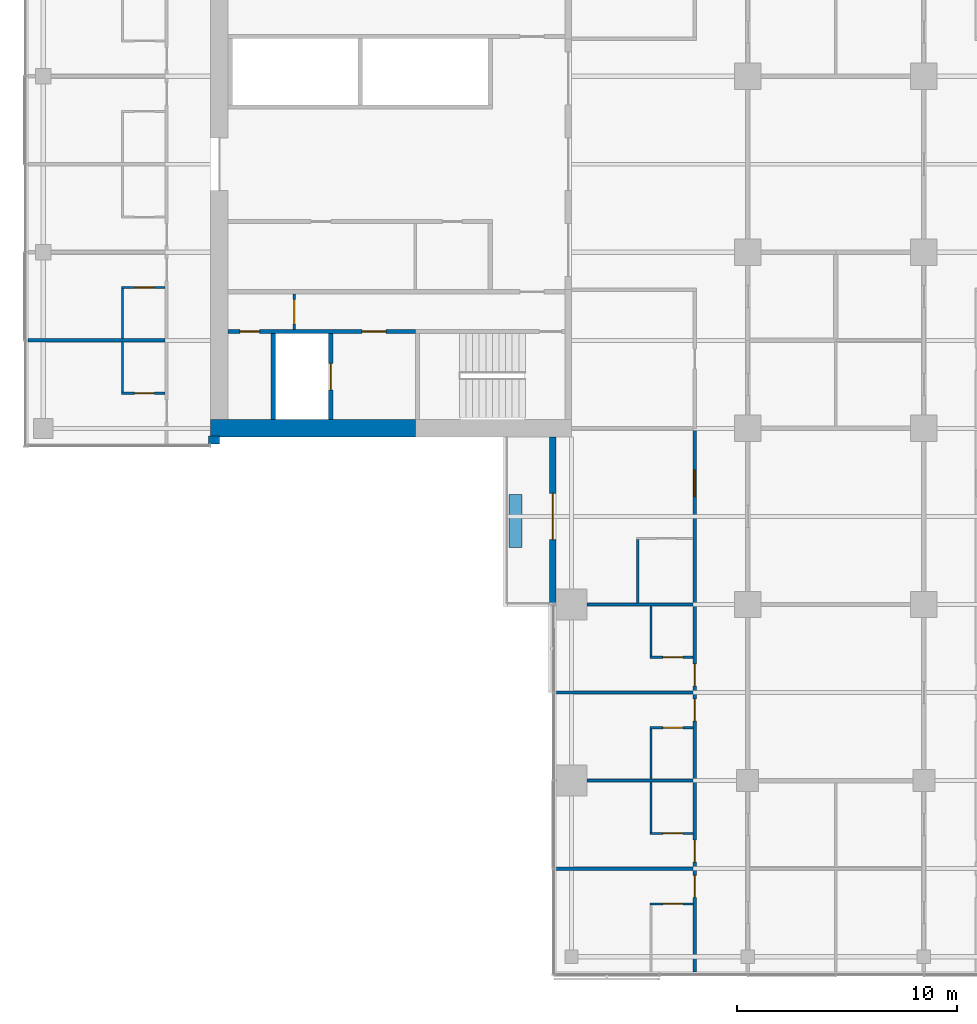
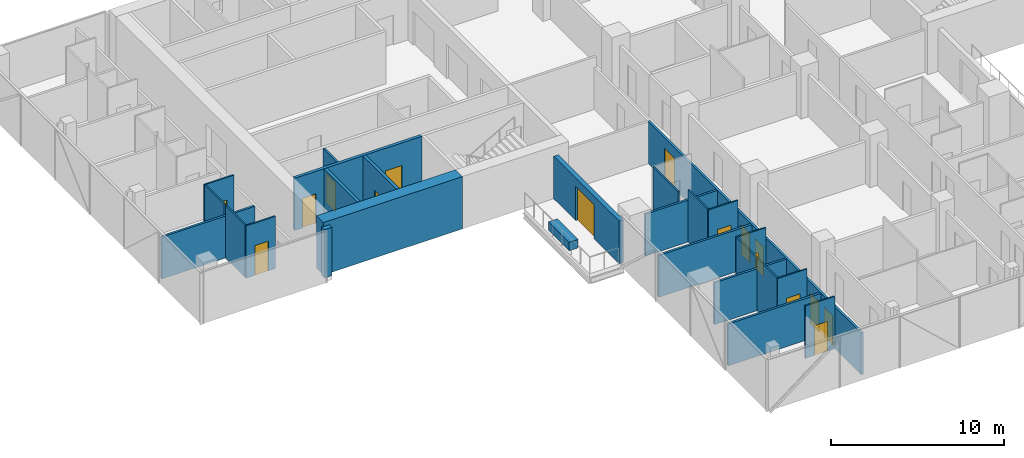
# One storey, part 15 of 29: 26 walls, 16 doors, 16 openings.
"""IFC4 building model written with IfcOpenShell, lengths in metres."""

from ifc_helpers import new_model, si_unit, direction, frame, frame_2d, origin, place, context, subcontext, project, spatial, rectangle, extrude, material, layer, layer_set, constituent, constituent_set, type_object, element, fill, save


model = new_model("IFC4")

# Units and contexts
model_context = context("Model", 3, precision=1e-05, world=origin(), true_north=direction((0.0, 1.0)))
body_context = subcontext(model_context, "Body", "Model", "MODEL_VIEW")
ifc_project = project(units=[si_unit("LENGTHUNIT", "METRE"), si_unit("AREAUNIT", "SQUARE_METRE"), si_unit("VOLUMEUNIT", "CUBIC_METRE"), si_unit("PLANEANGLEUNIT", "RADIAN"), si_unit("MASSUNIT", "GRAM", prefix="KILO")], contexts=[model_context])

# Site, building, storey
site_placement = place(None, origin())
site = spatial("IfcSite", under=ifc_project, at=site_placement, CompositionType="ELEMENT")
building_placement = place(site_placement, origin())
building = spatial("IfcBuilding", under=site, at=building_placement, Name="Crosswind Convention Tower", CompositionType="ELEMENT")
storey_placement = place(building_placement, frame((0.0, 0.0, 57.199951171875)))
storey = spatial("IfcBuildingStorey", under=building, at=storey_placement, Name="L08", CompositionType="ELEMENT", Elevation=57.199951171875)

# Wall, opening, door
ifc_material_1 = material(Name="Concrete C50/60", Category="concrete")
ifc_layer_1 = layer(ifc_material_1, 0.199951171875)
ifc_layer_set_1 = layer_set([ifc_layer_1], Name="Concrete C50/60")
wall_type_1 = type_object("IfcWallType", Name="Concrete shaft and stair wall 200", PredefinedType="SHEAR", material=ifc_layer_set_1)
wall_1_placement = place(storey_placement, frame((102.050048828125, 92.300048828125, 0.0), z_axis=(0.0, 0.0, 1.0), x_axis=(0.0, -1.0, 0.0)))
wall_1 = element("IfcWall", 1, at=wall_1_placement, inside=storey, type_object=wall_type_1, Name="Wall PFLW W L08", PredefinedType="SHEAR", context=body_context, shape_type="SweptSolid", body=[
    extrude(rectangle(XDim=3.900146484375, YDim=0.199951171875, at=frame_2d((1.9501953125, 0.0))), origin(), (0.0, 0.0, 1.0), 3.699951171875),
])
opening_1_placement = place(wall_1_placement, frame((1.35009765625, 0.0, 0.0)))
opening_1 = element("IfcOpeningElement", 2, at=opening_1_placement, cuts=wall_1, Name="Opening LD1", PredefinedType="OPENING", context=body_context, shape_type="SweptSolid", body=[
    extrude(rectangle(XDim=1.199951171875, YDim=2.10009765625, at=frame_2d((0.60009765625, 1.050048828125))), frame((0.0, 0.10986328125, 0.0), z_axis=(0.0, -1.0, 0.0), x_axis=(1.0, 0.0, 0.0)), (0.0, 0.0, 1.0), 0.219970703125),
])
ifc_material_2 = material(Name="Stainless steel", Category="steel")
door_type_1 = type_object("IfcDoorType", Name="Lift landing door 1200x2100", OperationType="DOUBLE_DOOR_SLIDING", PredefinedType="DOOR", material=ifc_material_2)
door_1_placement = place(opening_1_placement, origin())
door_1 = element("IfcDoor", 3, at=door_1_placement, inside=storey, type_object=door_type_1, Name="Landing door FF2 L08", ObjectType="LD1", OperationType="DOUBLE_DOOR_SLIDING", OverallHeight=2.10009765625, OverallWidth=1.199951171875, PredefinedType="DOOR", context=body_context, shape_type="SweptSolid", body=[
    extrude(rectangle(XDim=1.199951171875, YDim=2.10009765625, at=frame_2d((0.60009765625, 1.050048828125))), frame((0.0, 0.02490234375, 0.0), z_axis=(0.0, -1.0, 0.0), x_axis=(1.0, 0.0, 0.0)), (0.0, 0.0, 1.0), 0.050048828125),
])
fill(opening_1, door_1)

# Wall
wall_2_placement = place(storey_placement, frame((99.449951171875, 92.300048828125, 0.0), z_axis=(0.0, 0.0, 1.0), x_axis=(0.0, -1.0, 0.0)))
element("IfcWall", 4, at=wall_2_placement, inside=storey, type_object=wall_type_1, Name="Wall PFSE W L08", PredefinedType="SHEAR", context=body_context, shape_type="SweptSolid", body=[
    extrude(rectangle(XDim=3.900146484375, YDim=0.199951171875, at=frame_2d((1.9501953125, 0.0))), origin(), (0.0, 0.0, 1.0), 3.699951171875),
])

# Wall, openings, doors
wall_3_placement = place(storey_placement, frame((105.89990234375, 92.39990234375, 0.0), z_axis=(0.0, 0.0, 1.0), x_axis=(-1.0, 0.0, 0.0)))
wall_3 = element("IfcWall", 5, at=wall_3_placement, inside=storey, type_object=wall_type_1, Name="Wall PCX W L08", PredefinedType="SHEAR", context=body_context, shape_type="SweptSolid", body=[
    extrude(rectangle(XDim=8.5, YDim=0.199951171875, at=frame_2d((4.25, 0.0))), origin(), (0.0, 0.0, 1.0), 3.699951171875),
])
opening_2_placement = place(wall_3_placement, frame((1.324951171875, 0.0, 0.0)))
opening_2 = element("IfcOpeningElement", 6, at=opening_2_placement, cuts=wall_3, Name="Opening D104", PredefinedType="OPENING", context=body_context, shape_type="SweptSolid", body=[
    extrude(rectangle(XDim=1.10009765625, YDim=2.10009765625, at=frame_2d((0.550048828125, 1.050048828125))), frame((0.0, 0.10986328125, 0.0), z_axis=(0.0, -1.0, 0.0), x_axis=(1.0, 0.0, 0.0)), (0.0, 0.0, 1.0), 0.219970703125),
])
opening_3_placement = place(wall_3_placement, frame((7.074951171875, 0.0, 0.0)))
opening_3 = element("IfcOpeningElement", 7, at=opening_3_placement, cuts=wall_3, Name="Opening D106", PredefinedType="OPENING", context=body_context, shape_type="SweptSolid", body=[
    extrude(rectangle(XDim=0.89990234375, YDim=2.10009765625, at=frame_2d((0.449951171875, 1.050048828125))), frame((0.0, 0.10986328125, 0.0), z_axis=(0.0, -1.0, 0.0), x_axis=(1.0, 0.0, 0.0)), (0.0, 0.0, 1.0), 0.219970703125),
])
ifc_material_3 = material(Name="Steel fire door", Category="steel")
door_type_2 = type_object("IfcDoorType", Name="Fire-rated single door 1100x2100", OperationType="NOTDEFINED", PredefinedType="DOOR", material=ifc_material_3)
door_2_placement = place(opening_2_placement, origin())
door_2 = element("IfcDoor", 8, at=door_2_placement, inside=storey, type_object=door_type_2, Name="Fire-fighting lobby FF2 door L08", ObjectType="D104", OperationType="SINGLE_SWING_RIGHT", OverallHeight=2.10009765625, OverallWidth=1.10009765625, PredefinedType="DOOR", context=body_context, shape_type="SweptSolid", body=[
    extrude(rectangle(XDim=1.10009765625, YDim=2.10009765625, at=frame_2d((0.550048828125, 1.050048828125))), frame((0.0, 0.02490234375, 0.0), z_axis=(0.0, -1.0, 0.0), x_axis=(1.0, 0.0, 0.0)), (0.0, 0.0, 1.0), 0.050048828125),
])
fill(opening_2, door_2)
ifc_material_4 = material(Name="Timber door", Category="wood")
door_type_3 = type_object("IfcDoorType", Name="Single leaf door 900x2100", OperationType="NOTDEFINED", PredefinedType="DOOR", material=ifc_material_4)
door_3_placement = place(opening_3_placement, origin())
door_3 = element("IfcDoor", 9, at=door_3_placement, inside=storey, type_object=door_type_3, Name="Door to telecoms room L08", ObjectType="D106", OperationType="SINGLE_SWING_RIGHT", OverallHeight=2.10009765625, OverallWidth=0.89990234375, PredefinedType="DOOR", context=body_context, shape_type="SweptSolid", body=[
    extrude(rectangle(XDim=0.89990234375, YDim=2.10009765625, at=frame_2d((0.449951171875, 1.050048828125))), frame((0.0, 0.02490234375, 0.0), z_axis=(0.0, -1.0, 0.0), x_axis=(1.0, 0.0, 0.0)), (0.0, 0.0, 1.0), 0.050048828125),
])
fill(opening_3, door_3)

# Wall, opening, door
ifc_material_5 = material(Name="Gypsum plasterboard partition", Category="gypsum")
ifc_layer_2 = layer(ifc_material_5, 0.125)
ifc_layer_set_2 = layer_set([ifc_layer_2], Name="Drywall partition wall 125")
wall_type_2 = type_object("IfcWallType", Name="Drywall partition wall 125", PredefinedType="PARTITIONING", material=ifc_layer_set_2)
wall_4_placement = place(storey_placement, frame((100.39990234375, 94.10009765625, 0.0), z_axis=(0.0, 0.0, 1.0), x_axis=(0.0, -1.0, 0.0)))
wall_4 = element("IfcWall", 10, at=wall_4_placement, inside=storey, type_object=wall_type_2, Name="Wall PXC1 W L08", PredefinedType="PARTITIONING", context=body_context, shape_type="SweptSolid", body=[
    extrude(rectangle(XDim=1.60009765625, YDim=0.125, at=frame_2d((0.800048828125, 0.0))), origin(), (0.0, 0.0, 1.0), 3.699951171875),
])
opening_4_placement = place(wall_4_placement, frame((0.25, 0.0, 0.0)))
opening_4 = element("IfcOpeningElement", 11, at=opening_4_placement, cuts=wall_4, Name="Opening D104", PredefinedType="OPENING", context=body_context, shape_type="SweptSolid", body=[
    extrude(rectangle(XDim=1.10009765625, YDim=2.10009765625, at=frame_2d((0.550048828125, 1.050048828125))), frame((0.0, 0.072509765625, 0.0), z_axis=(0.0, -1.0, 0.0), x_axis=(1.0, 0.0, 0.0)), (0.0, 0.0, 1.0), 0.14501953125),
])
door_4_placement = place(opening_4_placement, origin())
door_4 = element("IfcDoor", 12, at=door_4_placement, inside=storey, type_object=door_type_2, Name="Corridor smoke door L08", ObjectType="D104", OperationType="SINGLE_SWING_RIGHT", OverallHeight=2.10009765625, OverallWidth=1.10009765625, PredefinedType="DOOR", context=body_context, shape_type="SweptSolid", body=[
    extrude(rectangle(XDim=1.10009765625, YDim=2.10009765625, at=frame_2d((0.550048828125, 1.050048828125))), frame((0.0, 0.02490234375, 0.0), z_axis=(0.0, -1.0, 0.0), x_axis=(1.0, 0.0, 0.0)), (0.0, 0.0, 1.0), 0.050048828125),
])
fill(opening_4, door_4)

# Walls
ifc_material_6 = material(Name="Acoustic plasterboard partition", Category="gypsum")
ifc_layer_3 = layer(ifc_material_6, 0.14990234375)
ifc_layer_set_3 = layer_set([ifc_layer_3], Name="GUEST ROOM WALL 150")
wall_type_3 = type_object("IfcWallType", Name="GUEST ROOM WALL 150", PredefinedType="PARTITIONING", material=ifc_layer_set_3)
wall_5_placement = place(storey_placement, frame((112.300048828125, 68.0, 0.0), z_axis=(0.0, 0.0, 1.0), x_axis=(1.0, 0.0, 0.0)))
element("IfcWall", 13, at=wall_5_placement, inside=storey, type_object=wall_type_3, Name="Guest Room Wall 3", PredefinedType="PARTITIONING", context=body_context, shape_type="SweptSolid", body=[
    extrude(rectangle(XDim=6.224853515625, YDim=0.14990234375, at=frame_2d((3.1123046875, 0.0))), origin(), (0.0, 0.0, 1.0), 2.962890625),
])
wall_6_placement = place(storey_placement, frame((113.699951171875, 72.0, 0.0), z_axis=(0.0, 0.0, 1.0), x_axis=(1.0, 0.0, 0.0)))
element("IfcWall", 14, at=wall_6_placement, inside=storey, type_object=wall_type_3, Name="Guest Room Wall 8", PredefinedType="PARTITIONING", context=body_context, shape_type="SweptSolid", body=[
    extrude(rectangle(XDim=4.824951171875, YDim=0.14990234375, at=frame_2d((2.41259765625, 0.0))), origin(), (0.0, 0.0, 1.0), 2.9599609375),
])
wall_7_placement = place(storey_placement, frame((112.300048828125, 76.0, 0.0), z_axis=(0.0, 0.0, 1.0), x_axis=(1.0, 0.0, 0.0)))
element("IfcWall", 15, at=wall_7_placement, inside=storey, type_object=wall_type_3, Name="Guest Room Wall 13", PredefinedType="PARTITIONING", context=body_context, shape_type="SweptSolid", body=[
    extrude(rectangle(XDim=6.224853515625, YDim=0.14990234375, at=frame_2d((3.1123046875, 0.0))), origin(), (0.0, 0.0, 1.0), 2.962890625),
])
wall_8_placement = place(storey_placement, frame((113.699951171875, 80.0, 0.0), z_axis=(0.0, 0.0, 1.0), x_axis=(1.0, 0.0, 0.0)))
element("IfcWall", 16, at=wall_8_placement, inside=storey, type_object=wall_type_3, Name="Guest Room Wall 17", PredefinedType="PARTITIONING", context=body_context, shape_type="SweptSolid", body=[
    extrude(rectangle(XDim=4.824951171875, YDim=0.14990234375, at=frame_2d((2.41259765625, 0.0))), origin(), (0.0, 0.0, 1.0), 2.9599609375),
])
wall_9_placement = place(storey_placement, frame((88.300048828125, 92.0, 0.0), z_axis=(0.0, 0.0, 1.0), x_axis=(1.0, 0.0, 0.0)))
element("IfcWall", 17, at=wall_9_placement, inside=storey, type_object=wall_type_3, Name="Guest Room Wall 27", PredefinedType="PARTITIONING", context=body_context, shape_type="SweptSolid", body=[
    extrude(rectangle(XDim=6.224853515625, YDim=0.14990234375, at=frame_2d((3.1123046875, 0.0))), origin(), (0.0, 0.0, 1.0), 2.962890625),
])

# Wall, openings, doors
wall_10_placement = place(storey_placement, frame((118.60009765625, 63.300048828125, 0.0), z_axis=(0.0, 0.0, 1.0), x_axis=(0.0, 1.0, 0.0)))
wall_10 = element("IfcWall", 18, at=wall_10_placement, inside=storey, type_object=wall_type_3, Name="Guest Room Wall 103", PredefinedType="PARTITIONING", context=body_context, shape_type="SweptSolid", body=[
    extrude(rectangle(XDim=24.699951171875, YDim=0.14990234375, at=frame_2d((12.35009765625, 0.0))), origin(), (0.0, 0.0, 1.0), 2.95654296875),
])
opening_5_placement = place(wall_10_placement, frame((21.60009765625, 0.0, 0.0)))
opening_5 = element("IfcOpeningElement", 19, at=opening_5_placement, cuts=wall_10, Name="Opening 08.035", PredefinedType="OPENING", context=body_context, shape_type="SweptSolid", body=[
    extrude(rectangle(XDim=1.199951171875, YDim=2.199951171875, at=frame_2d((0.60009765625, 1.10009765625))), frame((0.0, 0.0849609375, 0.0), z_axis=(0.0, -1.0, 0.0), x_axis=(1.0, 0.0, 0.0)), (0.0, 0.0, 1.0), 0.169921875),
])
opening_6_placement = place(wall_10_placement, frame((13.0, 0.0, 0.0)))
opening_6 = element("IfcOpeningElement", 20, at=opening_6_placement, cuts=wall_10, Name="Opening 08.037", PredefinedType="OPENING", context=body_context, shape_type="SweptSolid", body=[
    extrude(rectangle(XDim=1.0, YDim=2.10009765625, at=frame_2d((0.5, 1.050048828125))), frame((0.0, 0.0849609375, 0.0), z_axis=(0.0, -1.0, 0.0), x_axis=(1.0, 0.0, 0.0)), (0.0, 0.0, 1.0), 0.169921875),
])
opening_7_placement = place(wall_10_placement, frame((11.39990234375, 0.0, 0.0)))
opening_7 = element("IfcOpeningElement", 21, at=opening_7_placement, cuts=wall_10, Name="Opening 08.039", PredefinedType="OPENING", context=body_context, shape_type="SweptSolid", body=[
    extrude(rectangle(XDim=1.0, YDim=2.10009765625, at=frame_2d((0.5, 1.050048828125))), frame((0.0, 0.0849609375, 0.0), z_axis=(0.0, -1.0, 0.0), x_axis=(1.0, 0.0, 0.0)), (0.0, 0.0, 1.0), 0.169921875),
])
opening_8_placement = place(wall_10_placement, frame((5.0, 0.0, 0.0)))
opening_8 = element("IfcOpeningElement", 22, at=opening_8_placement, cuts=wall_10, Name="Opening 08.041", PredefinedType="OPENING", context=body_context, shape_type="SweptSolid", body=[
    extrude(rectangle(XDim=1.0, YDim=2.10009765625, at=frame_2d((0.5, 1.050048828125))), frame((0.0, 0.0849609375, 0.0), z_axis=(0.0, -1.0, 0.0), x_axis=(1.0, 0.0, 0.0)), (0.0, 0.0, 1.0), 0.169921875),
])
opening_9_placement = place(wall_10_placement, frame((3.39990234375, 0.0, 0.0)))
opening_9 = element("IfcOpeningElement", 23, at=opening_9_placement, cuts=wall_10, Name="Opening 08.043", PredefinedType="OPENING", context=body_context, shape_type="SweptSolid", body=[
    extrude(rectangle(XDim=1.0, YDim=2.10009765625, at=frame_2d((0.5, 1.050048828125))), frame((0.0, 0.0849609375, 0.0), z_axis=(0.0, -1.0, 0.0), x_axis=(1.0, 0.0, 0.0)), (0.0, 0.0, 1.0), 0.169921875),
])
ifc_material_7 = material(Name="Timber fire door", Category="wood")
door_type_4 = type_object("IfcDoorType", Name="GUEST ROOM DOOR 1000X2100", OperationType="NOTDEFINED", PredefinedType="DOOR", material=ifc_material_7)
door_5_placement = place(opening_6_placement, origin())
door_5 = element("IfcDoor", 24, at=door_5_placement, inside=storey, type_object=door_type_4, Name="Door 08.037", ObjectType="D1", OperationType="SINGLE_SWING_RIGHT", OverallHeight=2.10009765625, OverallWidth=1.0, PredefinedType="DOOR", context=body_context, shape_type="SweptSolid", body=[
    extrude(rectangle(XDim=1.0, YDim=2.10009765625, at=frame_2d((0.5, 1.050048828125))), frame((0.0, 0.02490234375, 0.0), z_axis=(0.0, -1.0, 0.0), x_axis=(1.0, 0.0, 0.0)), (0.0, 0.0, 1.0), 0.050048828125),
])
fill(opening_6, door_5)
door_6_placement = place(opening_7_placement, origin())
door_6 = element("IfcDoor", 25, at=door_6_placement, inside=storey, type_object=door_type_4, Name="Door 08.039", ObjectType="D1", OperationType="SINGLE_SWING_RIGHT", OverallHeight=2.10009765625, OverallWidth=1.0, PredefinedType="DOOR", context=body_context, shape_type="SweptSolid", body=[
    extrude(rectangle(XDim=1.0, YDim=2.10009765625, at=frame_2d((0.5, 1.050048828125))), frame((0.0, 0.02490234375, 0.0), z_axis=(0.0, -1.0, 0.0), x_axis=(1.0, 0.0, 0.0)), (0.0, 0.0, 1.0), 0.050048828125),
])
fill(opening_7, door_6)
door_7_placement = place(opening_8_placement, origin())
door_7 = element("IfcDoor", 26, at=door_7_placement, inside=storey, type_object=door_type_4, Name="Door 08.041", ObjectType="D1", OperationType="SINGLE_SWING_RIGHT", OverallHeight=2.10009765625, OverallWidth=1.0, PredefinedType="DOOR", context=body_context, shape_type="SweptSolid", body=[
    extrude(rectangle(XDim=1.0, YDim=2.10009765625, at=frame_2d((0.5, 1.050048828125))), frame((0.0, 0.02490234375, 0.0), z_axis=(0.0, -1.0, 0.0), x_axis=(1.0, 0.0, 0.0)), (0.0, 0.0, 1.0), 0.050048828125),
])
fill(opening_8, door_7)
door_8_placement = place(opening_9_placement, origin())
door_8 = element("IfcDoor", 27, at=door_8_placement, inside=storey, type_object=door_type_4, Name="Door 08.043", ObjectType="D1", OperationType="SINGLE_SWING_RIGHT", OverallHeight=2.10009765625, OverallWidth=1.0, PredefinedType="DOOR", context=body_context, shape_type="SweptSolid", body=[
    extrude(rectangle(XDim=1.0, YDim=2.10009765625, at=frame_2d((0.5, 1.050048828125))), frame((0.0, 0.02490234375, 0.0), z_axis=(0.0, -1.0, 0.0), x_axis=(1.0, 0.0, 0.0)), (0.0, 0.0, 1.0), 0.050048828125),
])
fill(opening_9, door_8)
door_type_5 = type_object("IfcDoorType", Name="SUITE DOOR 1200X2200", OperationType="DOUBLE_DOOR_SINGLE_SWING", PredefinedType="DOOR", material=ifc_material_7)
door_9_placement = place(opening_5_placement, origin())
door_9 = element("IfcDoor", 28, at=door_9_placement, inside=storey, type_object=door_type_5, Name="Door 08.035", ObjectType="D14", OperationType="DOUBLE_DOOR_SINGLE_SWING", OverallHeight=2.199951171875, OverallWidth=1.199951171875, PredefinedType="DOOR", context=body_context, shape_type="SweptSolid", body=[
    extrude(rectangle(XDim=1.199951171875, YDim=2.199951171875, at=frame_2d((0.60009765625, 1.10009765625))), frame((0.0, 0.02490234375, 0.0), z_axis=(0.0, -1.0, 0.0), x_axis=(1.0, 0.0, 0.0)), (0.0, 0.0, 1.0), 0.050048828125),
])
fill(opening_5, door_9)

# Walls
ifc_material_8 = material(Name="Concrete C30/37", Category="concrete")
ifc_layer_4 = layer(ifc_material_8, 0.60009765625)
ifc_layer_set_4 = layer_set([ifc_layer_4], Name="Concrete C30/37")
wall_type_4 = type_object("IfcWallType", Name="PLANTER BOX WALL 600", PredefinedType="SOLIDWALL", material=ifc_layer_set_4)
wall_11_placement = place(storey_placement, frame((110.449951171875, 85.0, 0.0), z_axis=(0.0, 0.0, 1.0), x_axis=(0.0, -1.0, 0.0)))
element("IfcWall", 29, at=wall_11_placement, inside=storey, type_object=wall_type_4, Name="PLANTER L08 S-W.1-1", PredefinedType="SOLIDWALL", context=body_context, shape_type="SweptSolid", body=[
    extrude(rectangle(XDim=2.39990234375, YDim=0.60009765625, at=frame_2d((1.199951171875, 0.0))), origin(), (0.0, 0.0, 1.0), 0.60009765625),
])
ifc_material_9 = material(Name="Terracotta rainscreen", Category="ceramic")
ifc_layer_5 = layer(ifc_material_9, 0.02001953125)
ifc_material_10 = material(Name="Mineral wool insulation", Category="insulation")
ifc_layer_6 = layer(ifc_material_10, 0.10009765625)
ifc_material_11 = material(Name="Concrete blockwork", Category="masonry")
ifc_layer_7 = layer(ifc_material_11, 0.236083984375)
ifc_layer_set_5 = layer_set([ifc_layer_5, ifc_layer_6, ifc_layer_7], Name="TERRACOTTA CORNER INFILL WALL 356")
wall_type_5 = type_object("IfcWallType", Name="TERRACOTTA CORNER INFILL WALL 356", PredefinedType="SOLIDWALL", material=ifc_layer_set_5)
wall_12_placement = place(storey_placement, frame((96.4951171875, 87.47802734375, 0.0), z_axis=(0.0, 0.0, 1.0), x_axis=(1.0, 0.0, 0.0)))
element("IfcWall", 30, at=wall_12_placement, inside=storey, type_object=wall_type_5, Name="Core corner infill wall L08 3", PredefinedType="SOLIDWALL", context=body_context, shape_type="SweptSolid", body=[
    extrude(rectangle(XDim=0.5048828125, YDim=0.35595703125, at=frame_2d((0.25244140625, 0.0))), origin(), (0.0, 0.0, 1.0), 3.420166015625),
])

# Wall, opening, door
ifc_layer_8 = layer(ifc_material_9, 0.02001953125)
ifc_layer_9 = layer(ifc_material_10, 0.10009765625)
ifc_layer_10 = layer(ifc_material_11, 0.179931640625)
ifc_layer_set_6 = layer_set([ifc_layer_8, ifc_layer_9, ifc_layer_10], Name="TERRACOTTA INFILL WALL 300")
wall_type_6 = type_object("IfcWallType", Name="TERRACOTTA INFILL WALL 300", PredefinedType="SOLIDWALL", material=ifc_layer_set_6)
wall_13_placement = place(storey_placement, frame((112.14990234375, 87.60009765625, 0.0), z_axis=(0.0, 0.0, 1.0), x_axis=(0.0, -1.0, 0.0)))
wall_13 = element("IfcWall", 31, at=wall_13_placement, inside=storey, type_object=wall_type_6, Name="Notch front wall L08 S-W.1-1", PredefinedType="SOLIDWALL", context=body_context, shape_type="SweptSolid", body=[
    extrude(rectangle(XDim=7.567626953125, YDim=0.300048828125, at=frame_2d((3.78369140625, 0.0))), origin(), (0.0, 0.0, 1.0), 3.013671875),
])
opening_10_placement = place(wall_13_placement, frame((2.550048828125, 0.0, 0.0)))
opening_10 = element("IfcOpeningElement", 32, at=opening_10_placement, cuts=wall_13, Name="Opening D141", PredefinedType="OPENING", context=body_context, shape_type="SweptSolid", body=[
    extrude(rectangle(XDim=2.10009765625, YDim=2.39990234375, at=frame_2d((1.050048828125, 1.199951171875))), frame((0.0, 0.159912109375, 0.0), z_axis=(0.0, -1.0, 0.0), x_axis=(1.0, 0.0, 0.0)), (0.0, 0.0, 1.0), 0.320068359375),
])
ifc_material_12 = material(Name="Aluminium glazed door", Category="aluminium")
door_type_6 = type_object("IfcDoorType", Name="BALCONY SLIDING DOOR 2100X2400", OperationType="SLIDING_TO_LEFT", PredefinedType="DOOR", material=ifc_material_12)
door_10_placement = place(opening_10_placement, frame((2.10009765625, 0.0, 0.0), z_axis=(0.0, 0.0, 1.0), x_axis=(-1.0, 0.0, 0.0)))
door_10 = element("IfcDoor", 33, at=door_10_placement, inside=storey, type_object=door_type_6, Name="D141 balcony door L08 S-W.1-1", ObjectType="D141", OperationType="SLIDING_TO_LEFT", OverallHeight=2.39990234375, OverallWidth=2.10009765625, PredefinedType="DOOR", context=body_context, shape_type="SweptSolid", body=[
    extrude(rectangle(XDim=2.10009765625, YDim=2.39990234375, at=frame_2d((1.050048828125, 1.199951171875))), frame((0.0, 0.02490234375, 0.0), z_axis=(0.0, -1.0, 0.0), x_axis=(1.0, 0.0, 0.0)), (0.0, 0.0, 1.0), 0.050048828125),
])
fill(opening_10, door_10)

# Wall
ifc_material_13 = material(Name="Concrete C60/75", Category="concrete")
ifc_constituent_1 = constituent(ifc_material_13, Name="Structure")
ifc_constituent_2 = constituent(ifc_material_9, Name="Facing")
ifc_constituent_set = constituent_set(constituents=[ifc_constituent_1, ifc_constituent_2], Name="Concrete C60/75, Terracotta rainscreen")
wall_type_7 = type_object("IfcWallType", Name="Terracotta rainscreen on concrete core wall 800", PredefinedType="SHEAR", material=ifc_constituent_set)
wall_14_placement = place(storey_placement, frame((105.89990234375, 88.0, 0.0), z_axis=(0.0, 0.0, 1.0), x_axis=(-1.0, 0.0, 0.0)))
element("IfcWall", 34, at=wall_14_placement, inside=storey, type_object=wall_type_7, Name="Wall N2 W L08", PredefinedType="SHEAR", context=body_context, shape_type="SweptSolid", body=[
    extrude(rectangle(XDim=9.2998046875, YDim=0.800048828125, at=frame_2d((4.64990234375, 0.0))), origin(), (0.0, 0.0, 1.0), 3.699951171875),
])

# Wall, opening, door
ifc_material_14 = material(Name="Water-resistant plasterboard partition", Category="gypsum")
ifc_layer_11 = layer(ifc_material_14, 0.10009765625)
ifc_layer_set_7 = layer_set([ifc_layer_11], Name="WET ROOM PARTITION 100")
wall_type_8 = type_object("IfcWallType", Name="WET ROOM PARTITION 100", PredefinedType="PLUMBINGWALL", material=ifc_layer_set_7)
wall_15_placement = place(storey_placement, frame((116.550048828125, 66.39990234375, 0.0), z_axis=(0.0, 0.0, 1.0), x_axis=(1.0, 0.0, 0.0)))
wall_15 = element("IfcWall", 35, at=wall_15_placement, inside=storey, type_object=wall_type_8, Name="Wet Room Partition 1", PredefinedType="PLUMBINGWALL", context=body_context, shape_type="SweptSolid", body=[
    extrude(rectangle(XDim=1.974853515625, YDim=0.10009765625, at=frame_2d((0.9873046875, 0.0))), origin(), (0.0, 0.0, 1.0), 3.699951171875),
])
opening_11_placement = place(wall_15_placement, frame((0.60009765625, 0.0, 0.0)))
opening_11 = element("IfcOpeningElement", 36, at=opening_11_placement, cuts=wall_15, Name="Opening 08.044", PredefinedType="OPENING", context=body_context, shape_type="SweptSolid", body=[
    extrude(rectangle(XDim=0.89990234375, YDim=2.10009765625, at=frame_2d((0.449951171875, 1.050048828125))), frame((0.0, 0.06005859375, 0.0), z_axis=(0.0, -1.0, 0.0), x_axis=(1.0, 0.0, 0.0)), (0.0, 0.0, 1.0), 0.1201171875),
])
door_type_7 = type_object("IfcDoorType", Name="EN-SUITE DOOR 900X2100", OperationType="NOTDEFINED", PredefinedType="DOOR", material=ifc_material_4)
door_11_placement = place(opening_11_placement, frame((0.89990234375, 0.0, 0.0), z_axis=(0.0, 0.0, 1.0), x_axis=(-1.0, 0.0, 0.0)))
door_11 = element("IfcDoor", 37, at=door_11_placement, inside=storey, type_object=door_type_7, Name="Door 08.044", ObjectType="D2", OperationType="SINGLE_SWING_LEFT", OverallHeight=2.10009765625, OverallWidth=0.89990234375, PredefinedType="DOOR", context=body_context, shape_type="SweptSolid", body=[
    extrude(rectangle(XDim=0.89990234375, YDim=2.10009765625, at=frame_2d((0.449951171875, 1.050048828125))), frame((0.0, 0.02490234375, 0.0), z_axis=(0.0, -1.0, 0.0), x_axis=(1.0, 0.0, 0.0)), (0.0, 0.0, 1.0), 0.050048828125),
])
fill(opening_11, door_11)

wall_16_placement = place(storey_placement, frame((116.550048828125, 69.60009765625, 0.0), z_axis=(0.0, 0.0, 1.0), x_axis=(1.0, 0.0, 0.0)))
wall_16 = element("IfcWall", 38, at=wall_16_placement, inside=storey, type_object=wall_type_8, Name="Wet Room Partition 6", PredefinedType="PLUMBINGWALL", context=body_context, shape_type="SweptSolid", body=[
    extrude(rectangle(XDim=1.974853515625, YDim=0.10009765625, at=frame_2d((0.9873046875, 0.0))), origin(), (0.0, 0.0, 1.0), 3.699951171875),
])
opening_12_placement = place(wall_16_placement, frame((0.60009765625, 0.0, 0.0)))
opening_12 = element("IfcOpeningElement", 39, at=opening_12_placement, cuts=wall_16, Name="Opening 08.042", PredefinedType="OPENING", context=body_context, shape_type="SweptSolid", body=[
    extrude(rectangle(XDim=0.89990234375, YDim=2.10009765625, at=frame_2d((0.449951171875, 1.050048828125))), frame((0.0, 0.06005859375, 0.0), z_axis=(0.0, -1.0, 0.0), x_axis=(1.0, 0.0, 0.0)), (0.0, 0.0, 1.0), 0.1201171875),
])
door_12_placement = place(opening_12_placement, origin())
door_12 = element("IfcDoor", 40, at=door_12_placement, inside=storey, type_object=door_type_7, Name="Door 08.042", ObjectType="D2", OperationType="SINGLE_SWING_RIGHT", OverallHeight=2.10009765625, OverallWidth=0.89990234375, PredefinedType="DOOR", context=body_context, shape_type="SweptSolid", body=[
    extrude(rectangle(XDim=0.89990234375, YDim=2.10009765625, at=frame_2d((0.449951171875, 1.050048828125))), frame((0.0, 0.02490234375, 0.0), z_axis=(0.0, -1.0, 0.0), x_axis=(1.0, 0.0, 0.0)), (0.0, 0.0, 1.0), 0.050048828125),
])
fill(opening_12, door_12)

wall_17_placement = place(storey_placement, frame((116.550048828125, 74.39990234375, 0.0), z_axis=(0.0, 0.0, 1.0), x_axis=(1.0, 0.0, 0.0)))
wall_17 = element("IfcWall", 41, at=wall_17_placement, inside=storey, type_object=wall_type_8, Name="Wet Room Partition 11", PredefinedType="PLUMBINGWALL", context=body_context, shape_type="SweptSolid", body=[
    extrude(rectangle(XDim=1.974853515625, YDim=0.10009765625, at=frame_2d((0.9873046875, 0.0))), origin(), (0.0, 0.0, 1.0), 3.699951171875),
])
opening_13_placement = place(wall_17_placement, frame((0.60009765625, 0.0, 0.0)))
opening_13 = element("IfcOpeningElement", 42, at=opening_13_placement, cuts=wall_17, Name="Opening 08.040", PredefinedType="OPENING", context=body_context, shape_type="SweptSolid", body=[
    extrude(rectangle(XDim=0.89990234375, YDim=2.10009765625, at=frame_2d((0.449951171875, 1.050048828125))), frame((0.0, 0.06005859375, 0.0), z_axis=(0.0, -1.0, 0.0), x_axis=(1.0, 0.0, 0.0)), (0.0, 0.0, 1.0), 0.1201171875),
])
door_13_placement = place(opening_13_placement, frame((0.89990234375, 0.0, 0.0), z_axis=(0.0, 0.0, 1.0), x_axis=(-1.0, 0.0, 0.0)))
door_13 = element("IfcDoor", 43, at=door_13_placement, inside=storey, type_object=door_type_7, Name="Door 08.040", ObjectType="D2", OperationType="SINGLE_SWING_LEFT", OverallHeight=2.10009765625, OverallWidth=0.89990234375, PredefinedType="DOOR", context=body_context, shape_type="SweptSolid", body=[
    extrude(rectangle(XDim=0.89990234375, YDim=2.10009765625, at=frame_2d((0.449951171875, 1.050048828125))), frame((0.0, 0.02490234375, 0.0), z_axis=(0.0, -1.0, 0.0), x_axis=(1.0, 0.0, 0.0)), (0.0, 0.0, 1.0), 0.050048828125),
])
fill(opening_13, door_13)

wall_18_placement = place(storey_placement, frame((116.550048828125, 77.60009765625, 0.0), z_axis=(0.0, 0.0, 1.0), x_axis=(1.0, 0.0, 0.0)))
wall_18 = element("IfcWall", 44, at=wall_18_placement, inside=storey, type_object=wall_type_8, Name="Wet Room Partition 15", PredefinedType="PLUMBINGWALL", context=body_context, shape_type="SweptSolid", body=[
    extrude(rectangle(XDim=1.974853515625, YDim=0.10009765625, at=frame_2d((0.9873046875, 0.0))), origin(), (0.0, 0.0, 1.0), 3.699951171875),
])
opening_14_placement = place(wall_18_placement, frame((0.60009765625, 0.0, 0.0)))
opening_14 = element("IfcOpeningElement", 45, at=opening_14_placement, cuts=wall_18, Name="Opening 08.038", PredefinedType="OPENING", context=body_context, shape_type="SweptSolid", body=[
    extrude(rectangle(XDim=0.89990234375, YDim=2.10009765625, at=frame_2d((0.449951171875, 1.050048828125))), frame((0.0, 0.06005859375, 0.0), z_axis=(0.0, -1.0, 0.0), x_axis=(1.0, 0.0, 0.0)), (0.0, 0.0, 1.0), 0.1201171875),
])
door_14_placement = place(opening_14_placement, origin())
door_14 = element("IfcDoor", 46, at=door_14_placement, inside=storey, type_object=door_type_7, Name="Door 08.038", ObjectType="D2", OperationType="SINGLE_SWING_RIGHT", OverallHeight=2.10009765625, OverallWidth=0.89990234375, PredefinedType="DOOR", context=body_context, shape_type="SweptSolid", body=[
    extrude(rectangle(XDim=0.89990234375, YDim=2.10009765625, at=frame_2d((0.449951171875, 1.050048828125))), frame((0.0, 0.02490234375, 0.0), z_axis=(0.0, -1.0, 0.0), x_axis=(1.0, 0.0, 0.0)), (0.0, 0.0, 1.0), 0.050048828125),
])
fill(opening_14, door_14)

wall_19_placement = place(storey_placement, frame((92.550048828125, 89.60009765625, 0.0), z_axis=(0.0, 0.0, 1.0), x_axis=(1.0, 0.0, 0.0)))
wall_19 = element("IfcWall", 47, at=wall_19_placement, inside=storey, type_object=wall_type_8, Name="Wet Room Partition 25", PredefinedType="PLUMBINGWALL", context=body_context, shape_type="SweptSolid", body=[
    extrude(rectangle(XDim=1.974853515625, YDim=0.10009765625, at=frame_2d((0.9873046875, 0.0))), origin(), (0.0, 0.0, 1.0), 3.699951171875),
])
opening_15_placement = place(wall_19_placement, frame((0.60009765625, 0.0, 0.0)))
opening_15 = element("IfcOpeningElement", 48, at=opening_15_placement, cuts=wall_19, Name="Opening 08.058", PredefinedType="OPENING", context=body_context, shape_type="SweptSolid", body=[
    extrude(rectangle(XDim=0.89990234375, YDim=2.10009765625, at=frame_2d((0.449951171875, 1.050048828125))), frame((0.0, 0.06005859375, 0.0), z_axis=(0.0, -1.0, 0.0), x_axis=(1.0, 0.0, 0.0)), (0.0, 0.0, 1.0), 0.1201171875),
])
door_15_placement = place(opening_15_placement, origin())
door_15 = element("IfcDoor", 49, at=door_15_placement, inside=storey, type_object=door_type_7, Name="Door 08.058", ObjectType="D2", OperationType="SINGLE_SWING_RIGHT", OverallHeight=2.10009765625, OverallWidth=0.89990234375, PredefinedType="DOOR", context=body_context, shape_type="SweptSolid", body=[
    extrude(rectangle(XDim=0.89990234375, YDim=2.10009765625, at=frame_2d((0.449951171875, 1.050048828125))), frame((0.0, 0.02490234375, 0.0), z_axis=(0.0, -1.0, 0.0), x_axis=(1.0, 0.0, 0.0)), (0.0, 0.0, 1.0), 0.050048828125),
])
fill(opening_15, door_15)

wall_20_placement = place(storey_placement, frame((92.550048828125, 94.39990234375, 0.0), z_axis=(0.0, 0.0, 1.0), x_axis=(1.0, 0.0, 0.0)))
wall_20 = element("IfcWall", 50, at=wall_20_placement, inside=storey, type_object=wall_type_8, Name="Wet Room Partition 33", PredefinedType="PLUMBINGWALL", context=body_context, shape_type="SweptSolid", body=[
    extrude(rectangle(XDim=1.974853515625, YDim=0.10009765625, at=frame_2d((0.9873046875, 0.0))), origin(), (0.0, 0.0, 1.0), 3.699951171875),
])
opening_16_placement = place(wall_20_placement, frame((0.60009765625, 0.0, 0.0)))
opening_16 = element("IfcOpeningElement", 51, at=opening_16_placement, cuts=wall_20, Name="Opening 08.060", PredefinedType="OPENING", context=body_context, shape_type="SweptSolid", body=[
    extrude(rectangle(XDim=0.89990234375, YDim=2.10009765625, at=frame_2d((0.449951171875, 1.050048828125))), frame((0.0, 0.06005859375, 0.0), z_axis=(0.0, -1.0, 0.0), x_axis=(1.0, 0.0, 0.0)), (0.0, 0.0, 1.0), 0.1201171875),
])
door_16_placement = place(opening_16_placement, frame((0.89990234375, 0.0, 0.0), z_axis=(0.0, 0.0, 1.0), x_axis=(-1.0, 0.0, 0.0)))
door_16 = element("IfcDoor", 52, at=door_16_placement, inside=storey, type_object=door_type_7, Name="Door 08.060", ObjectType="D2", OperationType="SINGLE_SWING_LEFT", OverallHeight=2.10009765625, OverallWidth=0.89990234375, PredefinedType="DOOR", context=body_context, shape_type="SweptSolid", body=[
    extrude(rectangle(XDim=0.89990234375, YDim=2.10009765625, at=frame_2d((0.449951171875, 1.050048828125))), frame((0.0, 0.02490234375, 0.0), z_axis=(0.0, -1.0, 0.0), x_axis=(1.0, 0.0, 0.0)), (0.0, 0.0, 1.0), 0.050048828125),
])
fill(opening_16, door_16)

# Walls
for number, where, z_axis, x_axis, name in (
    (53, (92.60009765625, 89.64990234375, 0.0), (0.0, 0.0, 1.0), (0.0, 1.0, 0.0), "Wet Room Partition 86"),
    (54, (92.60009765625, 92.074951171875, 0.0), (0.0, 0.0, 1.0), (0.0, 1.0, 0.0), "Wet Room Partition 87"),
):
    element("IfcWall", number, at=place(storey_placement, frame(where, z_axis=z_axis, x_axis=x_axis)), inside=storey, type_object=wall_type_8, Name=name, PredefinedType="PLUMBINGWALL", context=body_context, shape_type="SweptSolid", body=[
        extrude(rectangle(XDim=2.275146484375, YDim=0.10009765625, at=frame_2d((1.1376953125, 0.0))), origin(), (0.0, 0.0, 1.0), 3.699951171875),
    ])
wall_21_placement = place(storey_placement, frame((116.0, 80.074951171875, 0.0), z_axis=(0.0, 0.0, 1.0), x_axis=(0.0, 1.0, 0.0)))
element("IfcWall", 55, at=wall_21_placement, inside=storey, type_object=wall_type_8, Name="Wet Room Partition 93", PredefinedType="PLUMBINGWALL", context=body_context, shape_type="SweptSolid", body=[
    extrude(rectangle(XDim=2.875, YDim=0.10009765625, at=frame_2d((1.4375, 0.0))), origin(), (0.0, 0.0, 1.0), 3.699951171875),
])
for number, where, z_axis, x_axis, name in (
    (56, (116.60009765625, 69.64990234375, 0.0), (0.0, 0.0, 1.0), (0.0, 1.0, 0.0), "Wet Room Partition 96"),
    (57, (116.60009765625, 72.074951171875, 0.0), (0.0, 0.0, 1.0), (0.0, 1.0, 0.0), "Wet Room Partition 97"),
    (58, (116.60009765625, 77.64990234375, 0.0), (0.0, 0.0, 1.0), (0.0, 1.0, 0.0), "Wet Room Partition 98"),
):
    element("IfcWall", number, at=place(storey_placement, frame(where, z_axis=z_axis, x_axis=x_axis)), inside=storey, type_object=wall_type_8, Name=name, PredefinedType="PLUMBINGWALL", context=body_context, shape_type="SweptSolid", body=[
        extrude(rectangle(XDim=2.275146484375, YDim=0.10009765625, at=frame_2d((1.1376953125, 0.0))), origin(), (0.0, 0.0, 1.0), 3.699951171875),
    ])

save(model, "model.ifc")
